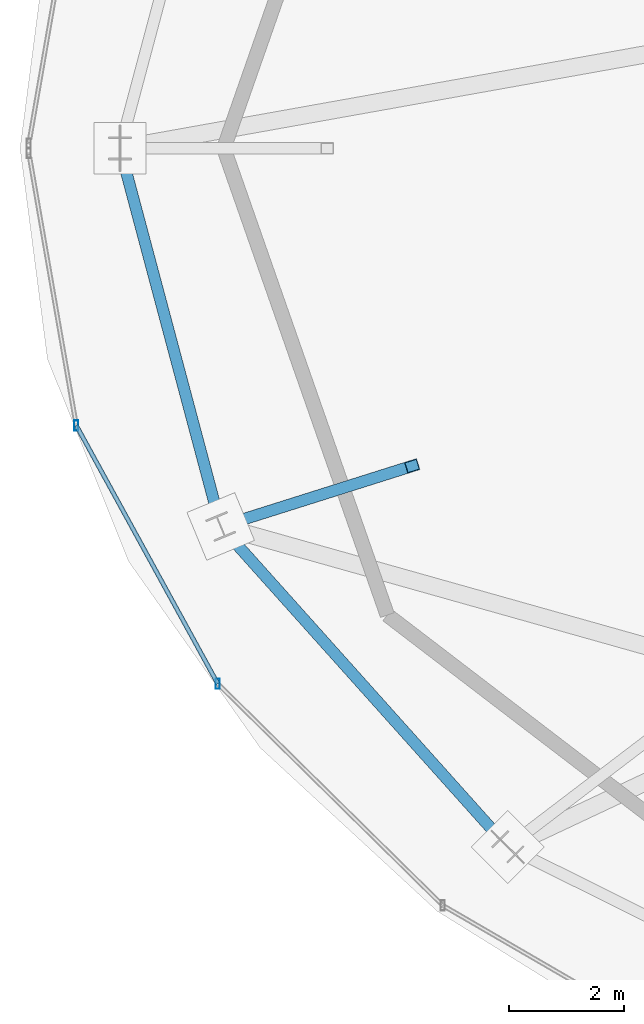
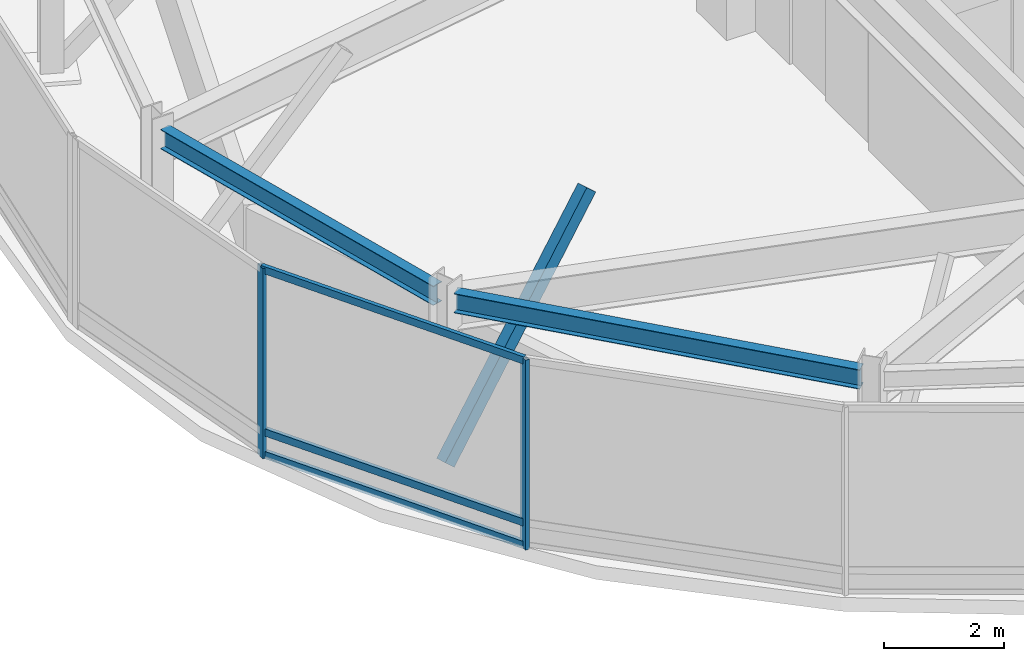
# One storey, part 4 of 28: 6 members, 2 beams, 1 element without a shape of its own.
"""IFC4 building model written with IfcOpenShell, lengths in metres."""

from ifc_helpers import new_model, si_unit, direction, frame, origin, origin_2d, place, context, subcontext, project, spatial, hollow_rectangle, i_section, extrude, material, material_profile, profile_set, type_object, element, aggregate, save


model = new_model("IFC4")

# Units and contexts
model_context = context("Model", 3, precision=1e-05, world=origin(), true_north=direction((0.0, 1.0)))
body_context = subcontext(model_context, "Body", "Model", "MODEL_VIEW")
ifc_project = project(units=[si_unit("LENGTHUNIT", "METRE"), si_unit("AREAUNIT", "SQUARE_METRE"), si_unit("VOLUMEUNIT", "CUBIC_METRE"), si_unit("PLANEANGLEUNIT", "RADIAN"), si_unit("MASSUNIT", "GRAM", prefix="KILO")], contexts=[model_context])

# Site, building, storey
site_placement = place(None, origin())
site = spatial("IfcSite", under=ifc_project, at=site_placement, CompositionType="ELEMENT")
building_placement = place(site_placement, origin())
building = spatial("IfcBuilding", under=site, at=building_placement, Name="Vorneva Point Tower", CompositionType="ELEMENT")
storey_placement = place(building_placement, frame((0.0, 0.0, 295.39990234375)))
storey = spatial("IfcBuildingStorey", under=building, at=storey_placement, Name="C01", CompositionType="ELEMENT", Elevation=295.39990234375)

# Beams
ifc_material_1 = material(Name="Steel S355", Category="steel")
ifc_material_profile_1 = material_profile(ifc_material_1, i_section(OverallWidth=0.198974609375, OverallDepth=0.39599609375, WebThickness=0.007080078125, FlangeThickness=0.010986328125, at=origin_2d()), Name="40B1")
ifc_profile_set_1 = profile_set([ifc_material_profile_1], Name="Steel S355")
beam_type = type_object("IfcBeamType", Name="BM-SPN-40B1", PredefinedType="SPANDREL", material=ifc_profile_set_1)
beam_1_placement = place(storey_placement, frame((14.997802734375, 25.8212890625, 3.35205078125), z_axis=(0.257558860387, -0.96626261101, 0.0), x_axis=(0.96626261101, 0.257558860387, 0.0)))
element("IfcBeam", 1, at=beam_1_placement, inside=storey, type_object=beam_type, Name="C01 Perimeter Spandrel Ring Beam 09", PredefinedType="SPANDREL", context=body_context, shape_type="SweptSolid", body=[
    extrude(i_section(OverallWidth=0.198974609375, OverallDepth=0.39599609375, WebThickness=0.007080078125, FlangeThickness=0.010986328125, at=origin_2d()), origin(), (0.0, 0.0, 1.0), 6.44189453125),
])
beam_2_placement = place(storey_placement, frame((16.827880859375, 19.280029296875, 3.35205078125), z_axis=(0.66710049095, -0.744967740895, 0.0), x_axis=(0.744967740895, 0.66710049095, 0.0)))
element("IfcBeam", 2, at=beam_2_placement, inside=storey, type_object=beam_type, Name="C01 Perimeter Spandrel Ring Beam 10", PredefinedType="SPANDREL", context=body_context, shape_type="SweptSolid", body=[
    extrude(i_section(OverallWidth=0.198974609375, OverallDepth=0.39599609375, WebThickness=0.007080078125, FlangeThickness=0.010986328125, at=origin_2d()), origin(), (0.0, 0.0, 1.0), 7.120361328125),
])

# Curtain wall, members
ifc_material_2 = material(Name="Pale anodised aluminium", Category="aluminium")
curtain_wall_type = type_object("IfcCurtainWallType", Name="CW-CRN-SYS", PredefinedType="NOTDEFINED", material=ifc_material_2)
curtain_wall_placement = place(storey_placement, origin())
curtain_wall = element("IfcCurtainWall", 3, at=curtain_wall_placement, inside=storey, type_object=curtain_wall_type, Name="C01 Unitised Curtain Wall CW-C01-Q3", PredefinedType="NOTDEFINED")
ifc_material_profile_2 = material_profile(ifc_material_2, hollow_rectangle(XDim=0.074951171875, YDim=0.179931640625, WallThickness=0.00390625, at=origin_2d()), Name="AL-MUL 180x75x4")
ifc_profile_set_2 = profile_set([ifc_material_profile_2], Name="Pale anodised aluminium")
member_type_1 = type_object("IfcMemberType", Name="CW-MUL-180", PredefinedType="MULLION", material=ifc_profile_set_2)
member_1_placement = place(storey_placement, frame((14.18994140625, 21.175537109375, -0.039794921875), z_axis=(0.0, 0.0, 1.0), x_axis=(1.0, 0.0, 0.0)))
member_1 = element("IfcMember", 4, at=member_1_placement, type_object=member_type_1, Name="CW-C01-Q3 Mullion 02", PredefinedType="MULLION", context=body_context, shape_type="SweptSolid", body=[
    extrude(hollow_rectangle(XDim=0.074951171875, YDim=0.179931640625, WallThickness=0.00390625, at=origin_2d()), origin(), (0.0, 0.0, 1.0), 3.869873046875),
])
member_2_placement = place(storey_placement, frame((16.652587890625, 16.679931640625, -0.039794921875), z_axis=(0.0, 0.0, 1.0), x_axis=(1.0, 0.0, 0.0)))
member_2 = element("IfcMember", 5, at=member_2_placement, type_object=member_type_1, Name="CW-C01-Q3 Mullion 03", PredefinedType="MULLION", context=body_context, shape_type="SweptSolid", body=[
    extrude(hollow_rectangle(XDim=0.074951171875, YDim=0.179931640625, WallThickness=0.00390625, at=origin_2d()), origin(), (0.0, 0.0, 1.0), 3.869873046875),
])
ifc_material_profile_3 = material_profile(ifc_material_2, hollow_rectangle(XDim=0.074951171875, YDim=0.14990234375, WallThickness=0.00390625, at=origin_2d()), Name="AL-TRN 150x75x4")
ifc_profile_set_3 = profile_set([ifc_material_profile_3], Name="Pale anodised aluminium")
member_type_2 = type_object("IfcMemberType", Name="CW-TRN-150", PredefinedType="USERDEFINED", material=ifc_profile_set_3)
member_3_placement = place(storey_placement, frame((14.18994140625, 21.175537109375, 0.02001953125), z_axis=(0.480429774856, -0.877033198592, 0.0), x_axis=(0.877033198592, 0.480429774856, 0.0)))
member_3 = element("IfcMember", 6, at=member_3_placement, type_object=member_type_2, Name="CW-C01-Q3 Transom 02.1", ObjectType="TRANSOM", PredefinedType="USERDEFINED", context=body_context, shape_type="SweptSolid", body=[
    extrude(hollow_rectangle(XDim=0.074951171875, YDim=0.14990234375, WallThickness=0.00390625, at=origin_2d()), origin(), (0.0, 0.0, 1.0), 5.1259765625),
])
member_4_placement = place(storey_placement, frame((14.18994140625, 21.175537109375, 0.47998046875), z_axis=(0.480429774856, -0.877033198592, 0.0), x_axis=(0.877033198592, 0.480429774856, 0.0)))
member_4 = element("IfcMember", 7, at=member_4_placement, type_object=member_type_2, Name="CW-C01-Q3 Transom 02.2", ObjectType="TRANSOM", PredefinedType="USERDEFINED", context=body_context, shape_type="SweptSolid", body=[
    extrude(hollow_rectangle(XDim=0.074951171875, YDim=0.14990234375, WallThickness=0.00390625, at=origin_2d()), origin(), (0.0, 0.0, 1.0), 5.1259765625),
])
member_5_placement = place(storey_placement, frame((14.18994140625, 21.175537109375, 3.780029296875), z_axis=(0.480429774856, -0.877033198592, 0.0), x_axis=(0.877033198592, 0.480429774856, 0.0)))
member_5 = element("IfcMember", 8, at=member_5_placement, type_object=member_type_2, Name="CW-C01-Q3 Transom 02.3", ObjectType="TRANSOM", PredefinedType="USERDEFINED", context=body_context, shape_type="SweptSolid", body=[
    extrude(hollow_rectangle(XDim=0.074951171875, YDim=0.14990234375, WallThickness=0.00390625, at=origin_2d()), origin(), (0.0, 0.0, 1.0), 5.1259765625),
])
aggregate(curtain_wall, [member_1, member_2, member_3, member_4, member_5])

# Member
ifc_material_profile_4 = material_profile(ifc_material_1, hollow_rectangle(XDim=0.199951171875, YDim=0.300048828125, WallThickness=0.011962890625, at=origin_2d()), Name="PP 300x200x12")
ifc_profile_set_4 = profile_set([ifc_material_profile_4], Name="Steel S355")
member_type_3 = type_object("IfcMemberType", Name="MBR-CRN-PP300", PredefinedType="CHORD", material=ifc_profile_set_4)
member_6_placement = place(storey_placement, frame((16.70458984375, 19.417724609375, 0.0), z_axis=(0.645578203755, 0.203844403163, 0.735986577415), x_axis=(-0.301101283468, 0.953592164971, 0.0)))
element("IfcMember", 9, at=member_6_placement, inside=storey, type_object=member_type_3, Name="Crown Tapered Frame Rib C01-10", PredefinedType="CHORD", context=body_context, shape_type="SweptSolid", body=[
    extrude(hollow_rectangle(XDim=0.199951171875, YDim=0.300048828125, WallThickness=0.011962890625, at=origin_2d()), origin(), (0.0, 0.0, 1.0), 5.1630859375),
])

save(model, "model.ifc")
